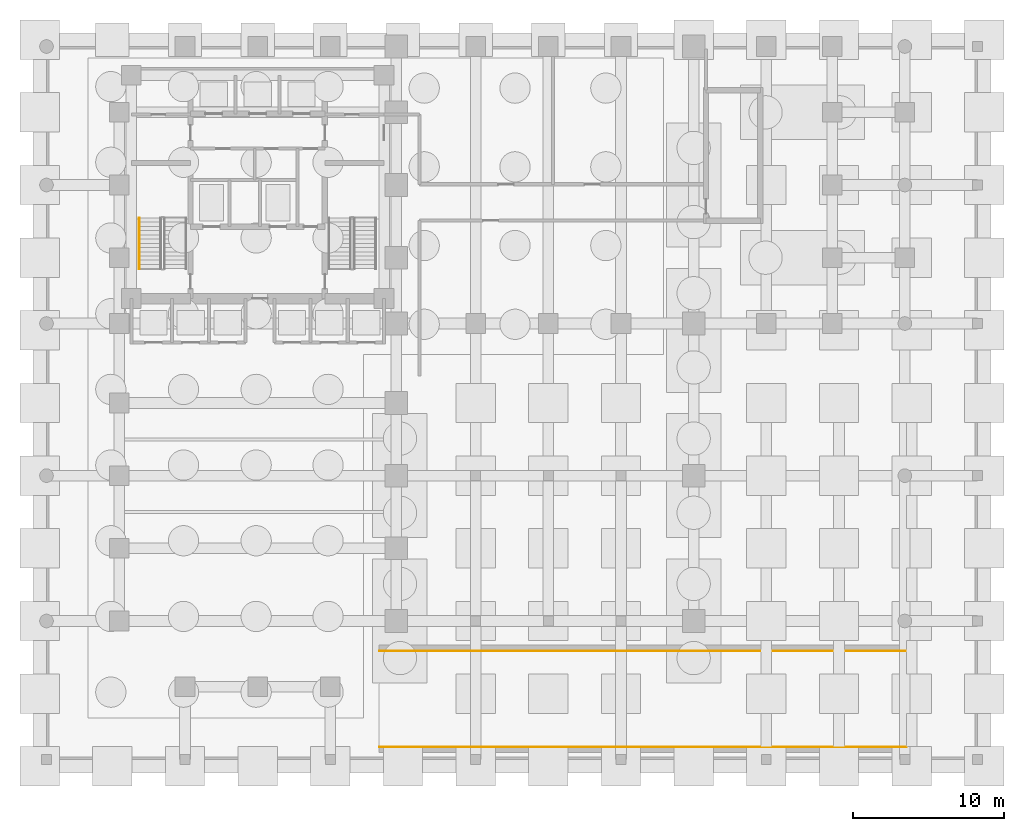
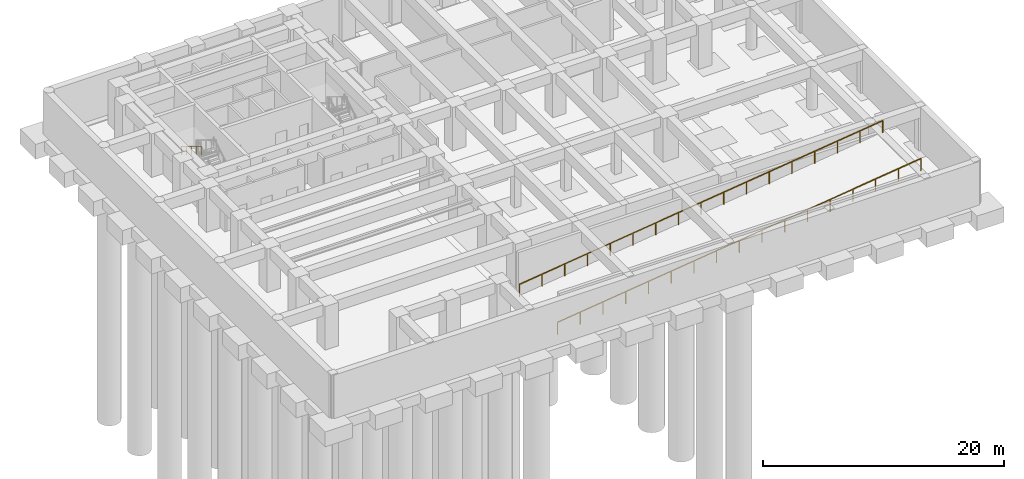
# One storey, part 6 of 8: 3 railings.
"""IFC4 building model written with IfcOpenShell, lengths in metres."""

from ifc_helpers import new_model, si_unit, direction, frame, origin, origin_2d, place, context, subcontext, project, spatial, rectangle, extrude, material, type_object, element, save


model = new_model("IFC4")

# Units and contexts
model_context = context("Model", 3, precision=1e-05, world=origin(), true_north=direction((0.0, 1.0)))
body_context = subcontext(model_context, "Body", "Model", "MODEL_VIEW")
ifc_project = project(units=[si_unit("LENGTHUNIT", "METRE"), si_unit("AREAUNIT", "SQUARE_METRE"), si_unit("VOLUMEUNIT", "CUBIC_METRE"), si_unit("PLANEANGLEUNIT", "RADIAN"), si_unit("MASSUNIT", "GRAM", prefix="KILO")], contexts=[model_context])

# Site, building, storey
site_placement = place(None, origin())
site = spatial("IfcSite", under=ifc_project, at=site_placement, CompositionType="ELEMENT")
building_placement = place(site_placement, origin())
building = spatial("IfcBuilding", under=site, at=building_placement, Name="Orvandelia Arch Residences", CompositionType="ELEMENT")
storey_placement = place(building_placement, frame((0.0, 0.0, -13.199951171875)))
storey = spatial("IfcBuildingStorey", under=building, at=storey_placement, Name="B3", CompositionType="ELEMENT", Elevation=-13.199951171875)

# Railings
ifc_material_1 = material(Name="Marine-Grade Stainless Steel 316", Category="steel")
railing_type_1 = type_object("IfcRailingType", Name="GRD-TERR-1250", PredefinedType="GUARDRAIL", material=ifc_material_1)
railing_1_placement = place(storey_placement, frame((22.449951171875, 1.280029296875, 0.0)))
element("IfcRailing", 1, at=railing_1_placement, inside=storey, type_object=railing_type_1, Name="Vehicle Ramp South Safety Barrier B3", PredefinedType="GUARDRAIL", context=body_context, shape_type="SweptSolid", body=[
    extrude(rectangle(XDim=0.048095703125, YDim=0.048095703125, at=origin_2d()), frame((0.0, 0.0, 1.22607421875), z_axis=(0.992101814582, 0.0, 0.125435200415), x_axis=(0.0, 1.0, 0.0)), (0.0, 0.0, 1.0), 35.0771484375),
    extrude(rectangle(XDim=0.0419921875, YDim=0.0419921875, at=origin_2d()), origin(), (0.0, 0.0, 1.0), 1.201904296875),
    extrude(rectangle(XDim=0.0419921875, YDim=0.0419921875, at=origin_2d()), frame((2.175048828125, 0.0, 0.27490234375)), (0.0, 0.0, 1.0), 1.201904296875),
    extrude(rectangle(XDim=0.0419921875, YDim=0.0419921875, at=origin_2d()), frame((4.35009765625, 0.0, 0.550048828125)), (0.0, 0.0, 1.0), 1.201904296875),
    extrude(rectangle(XDim=0.0419921875, YDim=0.0419921875, at=origin_2d()), frame((6.52490234375, 0.0, 0.824951171875)), (0.0, 0.0, 1.0), 1.201904296875),
    extrude(rectangle(XDim=0.0419921875, YDim=0.0419921875, at=origin_2d()), frame((8.699951171875, 0.0, 1.10009765625)), (0.0, 0.0, 1.0), 1.201904296875),
    extrude(rectangle(XDim=0.0419921875, YDim=0.0419921875, at=origin_2d()), frame((10.875, 0.0, 1.375)), (0.0, 0.0, 1.0), 1.201904296875),
    extrude(rectangle(XDim=0.0419921875, YDim=0.0419921875, at=origin_2d()), frame((13.050048828125, 0.0, 1.64990234375)), (0.0, 0.0, 1.0), 1.201904296875),
    extrude(rectangle(XDim=0.0419921875, YDim=0.0419921875, at=origin_2d()), frame((15.22509765625, 0.0, 1.925048828125)), (0.0, 0.0, 1.0), 1.201904296875),
    extrude(rectangle(XDim=0.0419921875, YDim=0.0419921875, at=origin_2d()), frame((17.39990234375, 0.0, 2.199951171875)), (0.0, 0.0, 1.0), 1.201904296875),
    extrude(rectangle(XDim=0.0419921875, YDim=0.0419921875, at=origin_2d()), frame((19.574951171875, 0.0, 2.474853515625)), (0.0, 0.0, 1.0), 1.201904296875),
    extrude(rectangle(XDim=0.0419921875, YDim=0.0419921875, at=origin_2d()), frame((21.75, 0.0, 2.75)), (0.0, 0.0, 1.0), 1.201904296875),
    extrude(rectangle(XDim=0.0419921875, YDim=0.0419921875, at=origin_2d()), frame((23.925048828125, 0.0, 3.02490234375)), (0.0, 0.0, 1.0), 1.201904296875),
    extrude(rectangle(XDim=0.0419921875, YDim=0.0419921875, at=origin_2d()), frame((26.10009765625, 0.0, 3.2998046875)), (0.0, 0.0, 1.0), 1.201904296875),
    extrude(rectangle(XDim=0.0419921875, YDim=0.0419921875, at=origin_2d()), frame((28.275146484375, 0.0, 3.574951171875)), (0.0, 0.0, 1.0), 1.201904296875),
    extrude(rectangle(XDim=0.0419921875, YDim=0.0419921875, at=origin_2d()), frame((30.449951171875, 0.0, 3.849853515625)), (0.0, 0.0, 1.0), 1.201904296875),
    extrude(rectangle(XDim=0.0419921875, YDim=0.0419921875, at=origin_2d()), frame((32.625, 0.0, 4.125)), (0.0, 0.0, 1.0), 1.201904296875),
    extrude(rectangle(XDim=0.0419921875, YDim=0.0419921875, at=origin_2d()), frame((34.800048828125, 0.0, 4.39990234375)), (0.0, 0.0, 1.0), 1.201904296875),
])
railing_2_placement = place(storey_placement, frame((22.449951171875, 7.6201171875, 0.0)))
element("IfcRailing", 2, at=railing_2_placement, inside=storey, type_object=railing_type_1, Name="Vehicle Ramp North Safety Barrier B3", PredefinedType="GUARDRAIL", context=body_context, shape_type="SweptSolid", body=[
    extrude(rectangle(XDim=0.048095703125, YDim=0.048095703125, at=origin_2d()), frame((0.0, 0.0, 1.22607421875), z_axis=(0.992101814582, 0.0, 0.125435200415), x_axis=(0.0, 1.0, 0.0)), (0.0, 0.0, 1.0), 35.0771484375),
    extrude(rectangle(XDim=0.0419921875, YDim=0.0419921875, at=origin_2d()), origin(), (0.0, 0.0, 1.0), 1.201904296875),
    extrude(rectangle(XDim=0.0419921875, YDim=0.0419921875, at=origin_2d()), frame((2.175048828125, 0.0, 0.27490234375)), (0.0, 0.0, 1.0), 1.201904296875),
    extrude(rectangle(XDim=0.0419921875, YDim=0.0419921875, at=origin_2d()), frame((4.35009765625, 0.0, 0.550048828125)), (0.0, 0.0, 1.0), 1.201904296875),
    extrude(rectangle(XDim=0.0419921875, YDim=0.0419921875, at=origin_2d()), frame((6.52490234375, 0.0, 0.824951171875)), (0.0, 0.0, 1.0), 1.201904296875),
    extrude(rectangle(XDim=0.0419921875, YDim=0.0419921875, at=origin_2d()), frame((8.699951171875, 0.0, 1.10009765625)), (0.0, 0.0, 1.0), 1.201904296875),
    extrude(rectangle(XDim=0.0419921875, YDim=0.0419921875, at=origin_2d()), frame((10.875, 0.0, 1.375)), (0.0, 0.0, 1.0), 1.201904296875),
    extrude(rectangle(XDim=0.0419921875, YDim=0.0419921875, at=origin_2d()), frame((13.050048828125, 0.0, 1.64990234375)), (0.0, 0.0, 1.0), 1.201904296875),
    extrude(rectangle(XDim=0.0419921875, YDim=0.0419921875, at=origin_2d()), frame((15.22509765625, 0.0, 1.925048828125)), (0.0, 0.0, 1.0), 1.201904296875),
    extrude(rectangle(XDim=0.0419921875, YDim=0.0419921875, at=origin_2d()), frame((17.39990234375, 0.0, 2.199951171875)), (0.0, 0.0, 1.0), 1.201904296875),
    extrude(rectangle(XDim=0.0419921875, YDim=0.0419921875, at=origin_2d()), frame((19.574951171875, 0.0, 2.474853515625)), (0.0, 0.0, 1.0), 1.201904296875),
    extrude(rectangle(XDim=0.0419921875, YDim=0.0419921875, at=origin_2d()), frame((21.75, 0.0, 2.75)), (0.0, 0.0, 1.0), 1.201904296875),
    extrude(rectangle(XDim=0.0419921875, YDim=0.0419921875, at=origin_2d()), frame((23.925048828125, 0.0, 3.02490234375)), (0.0, 0.0, 1.0), 1.201904296875),
    extrude(rectangle(XDim=0.0419921875, YDim=0.0419921875, at=origin_2d()), frame((26.10009765625, 0.0, 3.2998046875)), (0.0, 0.0, 1.0), 1.201904296875),
    extrude(rectangle(XDim=0.0419921875, YDim=0.0419921875, at=origin_2d()), frame((28.275146484375, 0.0, 3.574951171875)), (0.0, 0.0, 1.0), 1.201904296875),
    extrude(rectangle(XDim=0.0419921875, YDim=0.0419921875, at=origin_2d()), frame((30.449951171875, 0.0, 3.849853515625)), (0.0, 0.0, 1.0), 1.201904296875),
    extrude(rectangle(XDim=0.0419921875, YDim=0.0419921875, at=origin_2d()), frame((32.625, 0.0, 4.125)), (0.0, 0.0, 1.0), 1.201904296875),
    extrude(rectangle(XDim=0.0419921875, YDim=0.0419921875, at=origin_2d()), frame((34.800048828125, 0.0, 4.39990234375)), (0.0, 0.0, 1.0), 1.201904296875),
])
ifc_material_2 = material(Name="Brushed Stainless Steel 304", Category="steel")
railing_type_2 = type_object("IfcRailingType", Name="RL-STAIR-HR920", PredefinedType="HANDRAIL", material=ifc_material_2)
railing_3_placement = place(storey_placement, frame((6.580078125, 36.22998046875, 2.538330078125)))
element("IfcRailing", 3, at=railing_3_placement, inside=storey, type_object=railing_type_2, Name="B3 ST-1 stair handrail 2", PredefinedType="HANDRAIL", context=body_context, shape_type="SweptSolid", body=[
    extrude(rectangle(XDim=0.048095703125, YDim=0.048095703125, at=origin_2d()), frame((0.0, 0.0, 0.8759765625), z_axis=(0.0, -0.855820338506, 0.51727318527), x_axis=(1.0, 0.0, 0.0)), (0.0, 0.0, 1.0), 3.92578125),
    extrude(rectangle(XDim=0.0419921875, YDim=0.0419921875, at=origin_2d()), origin(), (0.0, 0.0, 1.0), 0.851806640625),
    extrude(rectangle(XDim=0.0419921875, YDim=0.0419921875, at=origin_2d()), frame((0.0, -0.83984375, 0.5078125)), (0.0, 0.0, 1.0), 0.851806640625),
    extrude(rectangle(XDim=0.0419921875, YDim=0.0419921875, at=origin_2d()), frame((0.0, -1.679931640625, 1.015380859375)), (0.0, 0.0, 1.0), 0.851806640625),
    extrude(rectangle(XDim=0.0419921875, YDim=0.0419921875, at=origin_2d()), frame((0.0, -2.52001953125, 1.52294921875)), (0.0, 0.0, 1.0), 0.851806640625),
    extrude(rectangle(XDim=0.0419921875, YDim=0.0419921875, at=origin_2d()), frame((0.0, -3.35986328125, 2.03076171875)), (0.0, 0.0, 1.0), 0.851806640625),
])

save(model, "model.ifc")
